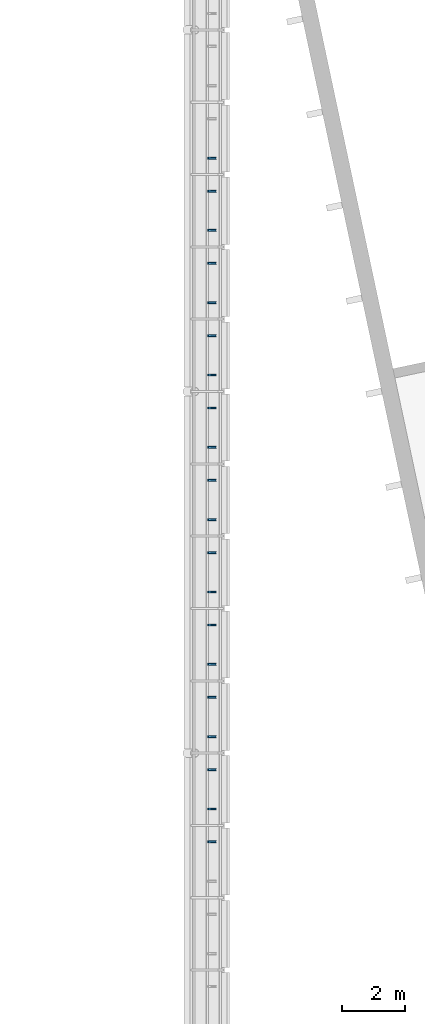
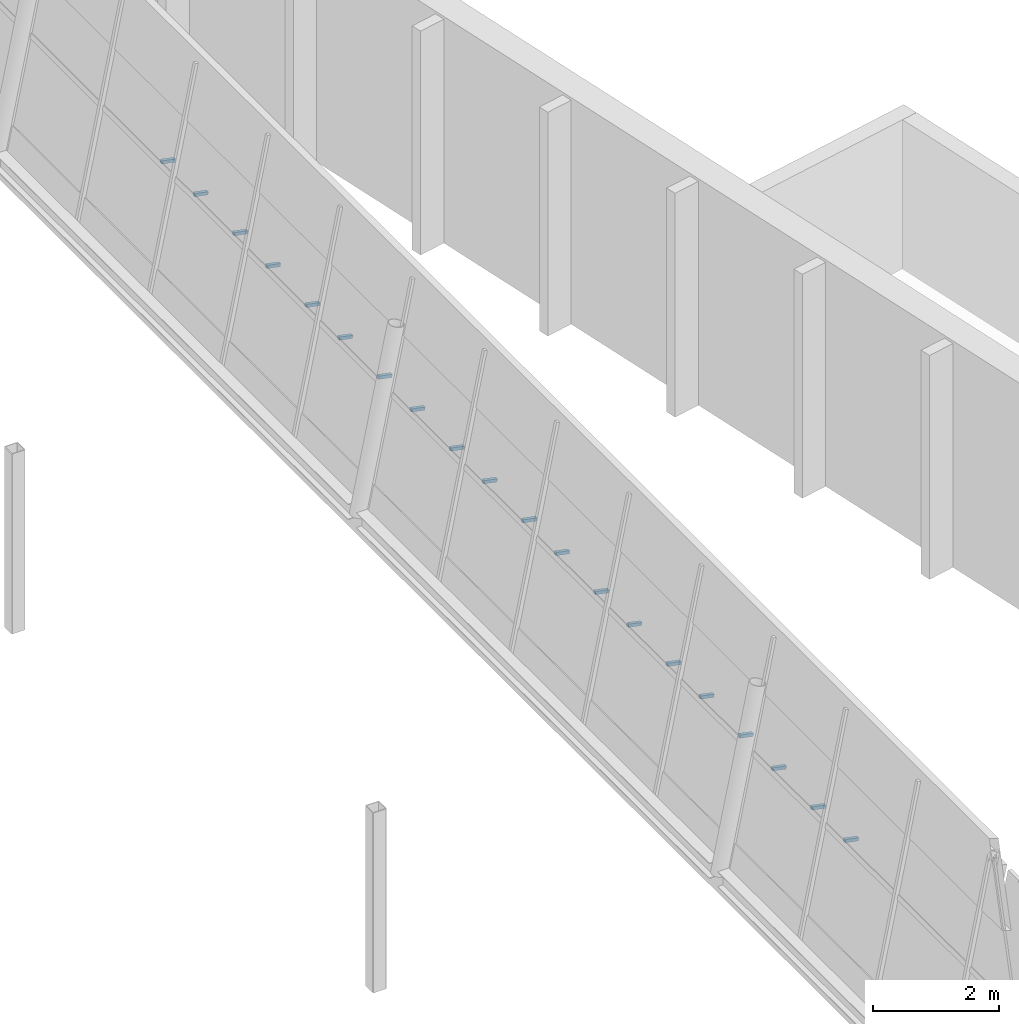
# One storey, part 75 of 95: 20 discrete accessories.
"""IFC4 building model written with IfcOpenShell, lengths in metres."""

from ifc_helpers import new_model, si_unit, direction, frame, origin, origin_2d, place, context, subcontext, project, spatial, rectangle, extrude, element, save


model = new_model("IFC4")

# Units and contexts
model_context = context("Model", 3, precision=1e-05, world=origin(), true_north=direction((0.0, 1.0)))
body_context = subcontext(model_context, "Body", "Model", "MODEL_VIEW")
ifc_project = project(units=[si_unit("LENGTHUNIT", "METRE"), si_unit("AREAUNIT", "SQUARE_METRE"), si_unit("VOLUMEUNIT", "CUBIC_METRE"), si_unit("PLANEANGLEUNIT", "RADIAN"), si_unit("MASSUNIT", "GRAM", prefix="KILO")], contexts=[model_context])

# Site, building, storey
site_placement = place(None, origin())
site = spatial("IfcSite", under=ifc_project, at=site_placement, CompositionType="ELEMENT")
building_placement = place(site_placement, origin())
building = spatial("IfcBuilding", under=site, at=building_placement, Name="Windward Yard Aquatics Centre", CompositionType="ELEMENT")
storey_placement = place(building_placement, frame((0.0, 0.0, 9.39990234375)))
storey = spatial("IfcBuildingStorey", under=building, at=storey_placement, Name="L02", CompositionType="ELEMENT", Elevation=9.39990234375)

# Discrete accessories
for number, where, z_axis, x_axis, name in (
    (1, (153.267578125, 46.67578125, 2.11865234375), (0.979936662274, 0.0, -0.199309151649), (0.0, 1.0, 0.0), "Louvre bracket E L02 A4.2"),
    (2, (153.267578125, 47.72412109375, 2.11865234375), (0.979936662274, 0.0, -0.199309151649), (0.0, 1.0, 0.0), "Louvre bracket E L02 A5.1"),
    (3, (153.267578125, 48.975830078125, 2.11865234375), (0.979936662274, 0.0, -0.199309151649), (0.0, 1.0, 0.0), "Louvre bracket E L02 A5.2"),
    (4, (153.267578125, 50.024169921875, 2.11865234375), (0.979936662274, 0.0, -0.199309151649), (0.0, 1.0, 0.0), "Louvre bracket E L02 A6.1"),
    (5, (153.267578125, 51.27587890625, 2.11865234375), (0.979936662274, 0.0, -0.199309151649), (0.0, 1.0, 0.0), "Louvre bracket E L02 A6.2"),
    (6, (153.267578125, 52.32421875, 2.11865234375), (0.979936662274, 0.0, -0.199309151649), (0.0, 1.0, 0.0), "Louvre bracket E L02 A7.1"),
    (7, (153.267578125, 53.57568359375, 2.11865234375), (0.979936662274, 0.0, -0.199309151649), (0.0, 1.0, 0.0), "Louvre bracket E L02 A7.2"),
    (8, (153.267578125, 54.624267578125, 2.11865234375), (0.979936662274, 0.0, -0.199309151649), (0.0, 1.0, 0.0), "Louvre bracket E L02 A8.1"),
    (9, (153.267578125, 55.875732421875, 2.11865234375), (0.979936662274, 0.0, -0.199309151649), (0.0, 1.0, 0.0), "Louvre bracket E L02 A8.2"),
    (10, (153.267578125, 56.92431640625, 2.11865234375), (0.979936662274, 0.0, -0.199309151649), (0.0, 1.0, 0.0), "Louvre bracket E L02 A9.1"),
    (11, (153.267578125, 58.17578125, 2.11865234375), (0.979936662274, 0.0, -0.199309151649), (0.0, 1.0, 0.0), "Louvre bracket E L02 A9.2"),
    (12, (153.267578125, 59.22412109375, 2.11865234375), (0.979936662274, 0.0, -0.199309151649), (0.0, 1.0, 0.0), "Louvre bracket E L02 A10.1"),
    (13, (153.267578125, 60.475830078125, 2.11865234375), (0.979936662274, 0.0, -0.199309151649), (0.0, 1.0, 0.0), "Louvre bracket E L02 A10.2"),
    (14, (153.267578125, 61.524169921875, 2.11865234375), (0.979936662274, 0.0, -0.199309151649), (0.0, 1.0, 0.0), "Louvre bracket E L02 A11.1"),
    (15, (153.267578125, 62.77587890625, 2.11865234375), (0.979936662274, 0.0, -0.199309151649), (0.0, 1.0, 0.0), "Louvre bracket E L02 A11.2"),
    (16, (153.267578125, 63.82421875, 2.11865234375), (0.979936662274, 0.0, -0.199309151649), (0.0, 1.0, 0.0), "Louvre bracket E L02 A12.1"),
    (17, (153.267578125, 65.07568359375, 2.11865234375), (0.979936662274, 0.0, -0.199309151649), (0.0, 1.0, 0.0), "Louvre bracket E L02 A12.2"),
    (18, (153.267578125, 66.124267578125, 2.11865234375), (0.979936662274, 0.0, -0.199309151649), (0.0, 1.0, 0.0), "Louvre bracket E L02 A13.1"),
    (19, (153.267578125, 67.375732421875, 2.11865234375), (0.979936662274, 0.0, -0.199309151649), (0.0, 1.0, 0.0), "Louvre bracket E L02 A13.2"),
    (20, (153.267578125, 68.42431640625, 2.11865234375), (0.979936662274, 0.0, -0.199309151649), (0.0, 1.0, 0.0), "Louvre bracket E L02 A14.1"),
):
    element("IfcDiscreteAccessory", number, at=place(storey_placement, frame(where, z_axis=z_axis, x_axis=x_axis)), inside=storey, Name=name, PredefinedType="BRACKET", context=body_context, shape_type="SweptSolid", body=[
        extrude(rectangle(XDim=0.06005859375, YDim=0.06005859375, at=origin_2d()), origin(), (0.0, 0.0, 1.0), 0.25),
    ])

save(model, "model.ifc")
